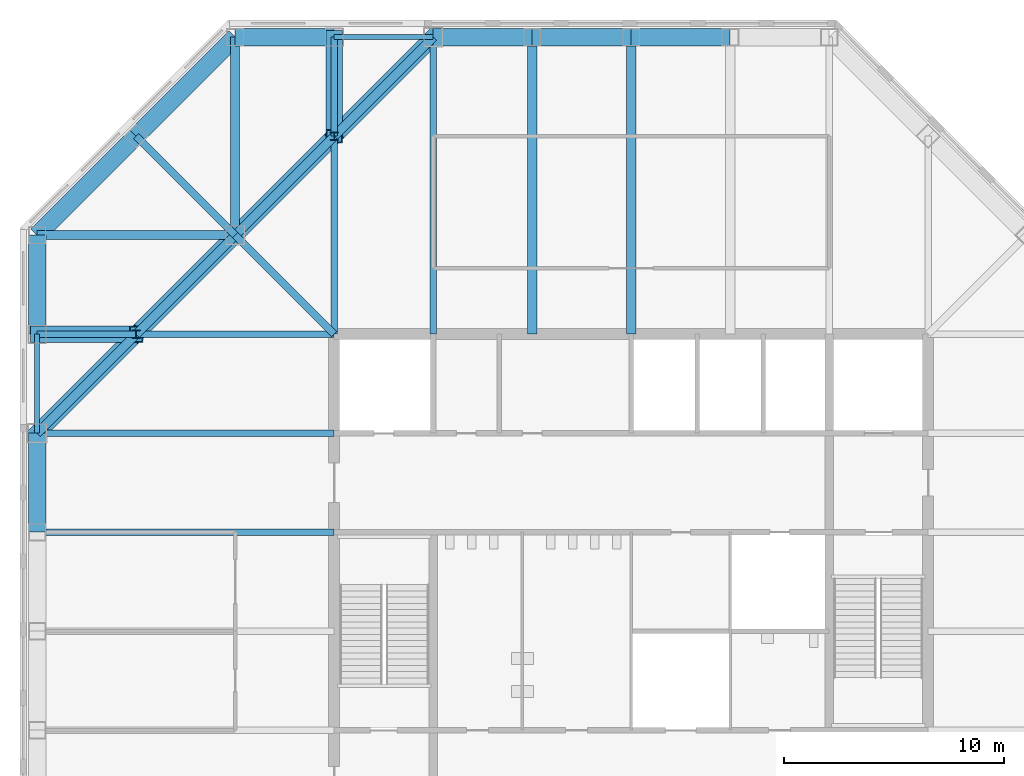
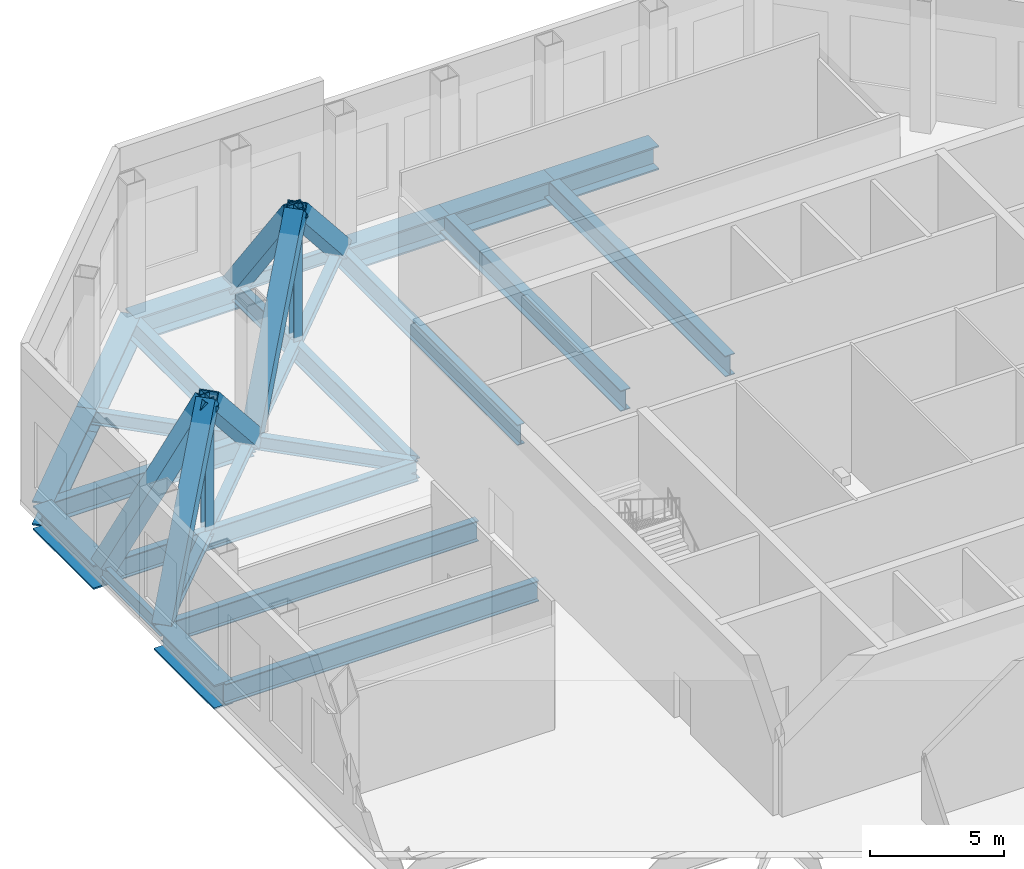
# One storey, part 3 of 10: 27 beams, 8 members.
"""IFC4 building model written with IfcOpenShell, lengths in metres."""

from ifc_helpers import new_model, si_unit, direction, frame, origin, origin_2d, place, context, subcontext, project, spatial, hollow_rectangle, i_section, extrude, material, material_profile, profile_set, type_object, element, save


model = new_model("IFC4")

# Units and contexts
model_context = context("Model", 3, precision=1e-05, world=origin(), true_north=direction((0.0, 1.0)))
body_context = subcontext(model_context, "Body", "Model", "MODEL_VIEW")
ifc_project = project(units=[si_unit("LENGTHUNIT", "METRE"), si_unit("AREAUNIT", "SQUARE_METRE"), si_unit("VOLUMEUNIT", "CUBIC_METRE"), si_unit("PLANEANGLEUNIT", "RADIAN"), si_unit("MASSUNIT", "GRAM", prefix="KILO")], contexts=[model_context])

# Site, building, storey
site_placement = place(None, origin())
site = spatial("IfcSite", under=ifc_project, at=site_placement, CompositionType="ELEMENT")
building_placement = place(site_placement, origin())
building = spatial("IfcBuilding", under=site, at=building_placement, Name="Corais Broadcast Tower", CompositionType="ELEMENT")
storey_placement = place(building_placement, frame((0.0, 0.0, 199.60009765625)))
storey = spatial("IfcBuildingStorey", under=building, at=storey_placement, Name="L46", CompositionType="ELEMENT", Elevation=199.60009765625)

# Beams
ifc_material_1 = material(Name="Steel ASTM A572 Grade 50", Category="steel")
ifc_material_profile_1 = material_profile(ifc_material_1, i_section(OverallWidth=0.323974609375, OverallDepth=0.611083984375, WebThickness=0.0126953125, FlangeThickness=0.01904296875, at=origin_2d()), Name="W610x155")
ifc_profile_set_1 = profile_set([ifc_material_profile_1], Name="Steel ASTM A572 Grade 50")
beam_type_1 = type_object("IfcBeamType", Name="Chamfer tie W610x155", PredefinedType="BEAM", material=ifc_profile_set_1)
beam_1_placement = place(storey_placement, frame((4.5, 49.5, -0.505615234375), z_axis=(0.707106781187, -0.707106781187, 0.0), x_axis=(0.707106781187, 0.707106781187, 0.0)))
element("IfcBeam", 1, at=beam_1_placement, inside=storey, type_object=beam_type_1, Name="B5 M/4 to L/5", PredefinedType="BEAM", context=body_context, shape_type="SweptSolid", body=[
    extrude(i_section(OverallWidth=0.323974609375, OverallDepth=0.611083984375, WebThickness=0.0126953125, FlangeThickness=0.01904296875, at=origin_2d()), origin(), (0.0, 0.0, 1.0), 6.364013671875),
])
ifc_material_2 = material(Name="Steel ASTM A572 Grade 50", Category="steel")
ifc_material_profile_2 = material_profile(ifc_material_2, i_section(OverallWidth=0.323974609375, OverallDepth=0.611083984375, WebThickness=0.0126953125, FlangeThickness=0.01904296875, at=origin_2d()), Name="W610x155")
ifc_profile_set_2 = profile_set([ifc_material_profile_2], Name="Steel ASTM A572 Grade 50")
beam_type_2 = type_object("IfcBeamType", Name="Corner diagonal W610x155", PredefinedType="BEAM", material=ifc_profile_set_2)
beam_2_placement = place(storey_placement, frame((9.0, 45.0, -0.505615234375), z_axis=(0.707106781187, -0.707106781187, 0.0), x_axis=(0.707106781187, 0.707106781187, 0.0)))
element("IfcBeam", 2, at=beam_2_placement, inside=storey, type_object=beam_type_2, Name="B6 L/5 to K/6", PredefinedType="BEAM", context=body_context, shape_type="SweptSolid", body=[
    extrude(i_section(OverallWidth=0.323974609375, OverallDepth=0.611083984375, WebThickness=0.0126953125, FlangeThickness=0.01904296875, at=origin_2d()), origin(), (0.0, 0.0, 1.0), 6.364013671875),
])
ifc_material_3 = material(Name="Steel ASTM A572 Grade 50", Category="steel")
ifc_material_profile_3 = material_profile(ifc_material_3, i_section(OverallWidth=0.22900390625, OverallDepth=0.612060546875, WebThickness=0.011962890625, FlangeThickness=0.01953125, at=origin_2d()), Name="W610x125")
ifc_profile_set_3 = profile_set([ifc_material_profile_3], Name="Steel ASTM A572 Grade 50")
beam_type_3 = type_object("IfcBeamType", Name="Pinned spandrel W610x125", PredefinedType="BEAM", material=ifc_profile_set_3)
for number, where, z_axis, x_axis, name in (
    (3, (0.0, 40.5, -0.506103515625), (0.0, -1.0, 0.0), (1.0, 0.0, 0.0), "SB7 K/3 to J/3"),
    (4, (18.0, 54.0, -0.506103515625), (-1.0, 0.0, 0.0), (0.0, -1.0, 0.0), "SB7 N/7 to N/6"),
):
    element("IfcBeam", number, at=place(storey_placement, frame(where, z_axis=z_axis, x_axis=x_axis)), inside=storey, type_object=beam_type_3, Name=name, PredefinedType="BEAM", context=body_context, shape_type="SweptSolid", body=[
        extrude(i_section(OverallWidth=0.22900390625, OverallDepth=0.612060546875, WebThickness=0.011962890625, FlangeThickness=0.01953125, at=origin_2d()), origin(), (0.0, 0.0, 1.0), 4.5),
    ])
ifc_material_4 = material(Name="Steel ASTM A572 Grade 50", Category="steel")
ifc_material_profile_4 = material_profile(ifc_material_4, i_section(OverallWidth=0.30908203125, OverallDepth=0.931884765625, WebThickness=0.02099609375, FlangeThickness=0.034423828125, at=origin_2d()), Name="W920x313")
ifc_profile_set_4 = profile_set([ifc_material_profile_4], Name="Steel ASTM A572 Grade 50")
beam_type_4 = type_object("IfcBeamType", Name="Plant floor beam W920x313", PredefinedType="BEAM", material=ifc_profile_set_4)
for number, where, z_axis, x_axis, name in (
    (5, (0.0, 31.5, -0.666015625), (1.0, 0.0, 0.0), (0.0, 1.0, 0.0), "B17 H/3 to H/6"),
    (6, (0.0, 36.0, -0.666015625), (1.0, 0.0, 0.0), (0.0, 1.0, 0.0), "B17 J/3 to J/6"),
):
    element("IfcBeam", number, at=place(storey_placement, frame(where, z_axis=z_axis, x_axis=x_axis)), inside=storey, type_object=beam_type_4, Name=name, PredefinedType="BEAM", context=body_context, shape_type="SweptSolid", body=[
        extrude(i_section(OverallWidth=0.30908203125, OverallDepth=0.931884765625, WebThickness=0.02099609375, FlangeThickness=0.034423828125, at=origin_2d()), origin(), (0.0, 0.0, 1.0), 13.5),
    ])
beam_3_placement = place(storey_placement, frame((0.0, 40.5, -0.666015625), z_axis=(1.0, 0.0, 0.0), x_axis=(0.0, 1.0, 0.0)))
element("IfcBeam", 7, at=beam_3_placement, inside=storey, type_object=beam_type_4, Name="B17 K/3 to K/4", PredefinedType="BEAM", context=body_context, shape_type="SweptSolid", body=[
    extrude(i_section(OverallWidth=0.30908203125, OverallDepth=0.931884765625, WebThickness=0.02099609375, FlangeThickness=0.034423828125, at=origin_2d()), origin(), (0.0, 0.0, 1.0), 4.5),
])
beam_4_placement = place(storey_placement, frame((13.5, 49.5, -0.666015625), z_axis=(0.0, -1.0, 0.0), x_axis=(1.0, 0.0, 0.0)))
element("IfcBeam", 8, at=beam_4_placement, inside=storey, type_object=beam_type_4, Name="B17 M/6 to K/6", PredefinedType="BEAM", context=body_context, shape_type="SweptSolid", body=[
    extrude(i_section(OverallWidth=0.30908203125, OverallDepth=0.931884765625, WebThickness=0.02099609375, FlangeThickness=0.034423828125, at=origin_2d()), origin(), (0.0, 0.0, 1.0), 9.0),
])
beam_5_placement = place(storey_placement, frame((13.5, 54.0, -0.666015625), z_axis=(0.0, -1.0, 0.0), x_axis=(1.0, 0.0, 0.0)))
element("IfcBeam", 9, at=beam_5_placement, inside=storey, type_object=beam_type_4, Name="B17 N/6 to M/6", PredefinedType="BEAM", context=body_context, shape_type="SweptSolid", body=[
    extrude(i_section(OverallWidth=0.30908203125, OverallDepth=0.931884765625, WebThickness=0.02099609375, FlangeThickness=0.034423828125, at=origin_2d()), origin(), (0.0, 0.0, 1.0), 4.5),
])
beam_6_placement = place(storey_placement, frame((18.0, 54.0, -0.666015625), z_axis=(0.0, -1.0, 0.0), x_axis=(1.0, 0.0, 0.0)))
element("IfcBeam", 10, at=beam_6_placement, inside=storey, type_object=beam_type_4, Name="B17 N/7 to K/7", PredefinedType="BEAM", context=body_context, shape_type="SweptSolid", body=[
    extrude(i_section(OverallWidth=0.30908203125, OverallDepth=0.931884765625, WebThickness=0.02099609375, FlangeThickness=0.034423828125, at=origin_2d()), origin(), (0.0, 0.0, 1.0), 13.5),
])
beam_7_placement = place(storey_placement, frame((4.5, 40.5, -0.666015625), z_axis=(1.0, 0.0, 0.0), x_axis=(0.0, 1.0, 0.0)))
element("IfcBeam", 11, at=beam_7_placement, inside=storey, type_object=beam_type_4, Name="B17 K/4 to K/6", PredefinedType="BEAM", context=body_context, shape_type="SweptSolid", body=[
    extrude(i_section(OverallWidth=0.30908203125, OverallDepth=0.931884765625, WebThickness=0.02099609375, FlangeThickness=0.034423828125, at=origin_2d()), origin(), (0.0, 0.0, 1.0), 9.0),
])
ifc_material_5 = material(Name="Steel ASTM A572 Grade 50", Category="steel")
ifc_material_profile_5 = material_profile(ifc_material_5, i_section(OverallWidth=0.4189453125, OverallDepth=0.94189453125, WebThickness=0.022216796875, FlangeThickness=0.03662109375, at=origin_2d()), Name="W920x345")
ifc_profile_set_5 = profile_set([ifc_material_profile_5], Name="Steel ASTM A572 Grade 50")
beam_type_5 = type_object("IfcBeamType", Name="Tank room floor beam W920x345", PredefinedType="BEAM", material=ifc_profile_set_5)
for number, where, z_axis, x_axis, name in (
    (12, (22.5, 54.0, -0.671142578125), (0.0, -1.0, 0.0), (1.0, 0.0, 0.0), "B20 N/8 to K/8"),
    (13, (27.0, 54.0, -0.671142578125), (0.0, -1.0, 0.0), (1.0, 0.0, 0.0), "B20 N/9 to K/9"),
):
    element("IfcBeam", number, at=place(storey_placement, frame(where, z_axis=z_axis, x_axis=x_axis)), inside=storey, type_object=beam_type_5, Name=name, PredefinedType="BEAM", context=body_context, shape_type="SweptSolid", body=[
        extrude(i_section(OverallWidth=0.4189453125, OverallDepth=0.94189453125, WebThickness=0.022216796875, FlangeThickness=0.03662109375, at=origin_2d()), origin(), (0.0, 0.0, 1.0), 13.5),
    ])
ifc_material_6 = material(Name="Steel ASTM A572 Grade 50", Category="steel")
ifc_material_profile_6 = material_profile(ifc_material_6, i_section(OverallWidth=0.40087890625, OverallDepth=0.386962890625, WebThickness=0.02099609375, FlangeThickness=0.033203125, at=origin_2d()), Name="W360x262")
ifc_profile_set_6 = profile_set([ifc_material_profile_6], Name="Steel ASTM A572 Grade 50")
beam_type_6 = type_object("IfcBeamType", Name="Transfer chord W360x262", PredefinedType="BEAM", material=ifc_profile_set_6)
for number, where, z_axis, x_axis, name in (
    (14, (13.5, 49.5, -0.3935546875), (-0.707106781187, -0.707106781187, 0.0), (0.707106781187, -0.707106781187, 0.0), "TC1 M/6 to L/5"),
    (15, (18.0, 54.0, -0.3935546875), (-0.707106781187, -0.707106781187, 0.0), (0.707106781187, -0.707106781187, 0.0), "TC1 N/7 to M/6"),
    (16, (4.5, 40.5, -0.3935546875), (-0.707106781187, -0.707106781187, 0.0), (0.707106781187, -0.707106781187, 0.0), "TC1 K/4 to J/3"),
    (17, (9.0, 45.0, -0.3935546875), (-0.707106781187, -0.707106781187, 0.0), (0.707106781187, -0.707106781187, 0.0), "TC1 L/5 to K/4"),
):
    element("IfcBeam", number, at=place(storey_placement, frame(where, z_axis=z_axis, x_axis=x_axis)), inside=storey, type_object=beam_type_6, Name=name, PredefinedType="BEAM", context=body_context, shape_type="SweptSolid", body=[
        extrude(i_section(OverallWidth=0.40087890625, OverallDepth=0.386962890625, WebThickness=0.02099609375, FlangeThickness=0.033203125, at=origin_2d()), origin(), (0.0, 0.0, 1.0), 6.364013671875),
    ])
ifc_material_7 = material(Name="Steel ASTM A572 Grade 50", Category="steel")
ifc_material_profile_7 = material_profile(ifc_material_7, i_section(OverallWidth=0.408935546875, OverallDepth=0.927001953125, WebThickness=0.0166015625, FlangeThickness=0.030029296875, at=origin_2d()), Name="W920x289")
ifc_profile_set_7 = profile_set([ifc_material_profile_7], Name="Steel ASTM A572 Grade 50")
beam_type_7 = type_object("IfcBeamType", Name="Transfer corner girder W920x289", PredefinedType="BEAM", material=ifc_profile_set_7)
for number, where, z_axis, x_axis, name in (
    (18, (0.0, 45.0, -0.66357421875), (1.0, 0.0, 0.0), (0.0, 1.0, 0.0), "B14 L/3 to L/5"),
    (19, (9.0, 54.0, -0.66357421875), (0.0, -1.0, 0.0), (1.0, 0.0, 0.0), "B14 N/5 to L/5"),
):
    element("IfcBeam", number, at=place(storey_placement, frame(where, z_axis=z_axis, x_axis=x_axis)), inside=storey, type_object=beam_type_7, Name=name, PredefinedType="BEAM", context=body_context, shape_type="SweptSolid", body=[
        extrude(i_section(OverallWidth=0.408935546875, OverallDepth=0.927001953125, WebThickness=0.0166015625, FlangeThickness=0.030029296875, at=origin_2d()), origin(), (0.0, 0.0, 1.0), 9.0),
    ])
ifc_material_8 = material(Name="Steel ASTM A572 Grade 50", Category="steel")
ifc_material_profile_8 = material_profile(ifc_material_8, i_section(OverallWidth=0.800048828125, OverallDepth=1.10009765625, WebThickness=0.030029296875, FlangeThickness=0.070068359375, at=origin_2d()), Name="PG1100x1105")
ifc_profile_set_8 = profile_set([ifc_material_profile_8], Name="Steel ASTM A572 Grade 50")
beam_type_8 = type_object("IfcBeamType", Name="Transfer spandrel PG1100x1105", PredefinedType="BEAM", material=ifc_profile_set_8)
for number, where, z_axis, x_axis, name in (
    (20, (0.0, 36.0, -0.75), (0.0, -1.0, 0.0), (1.0, 0.0, 0.0), "SB8 J/3 to H/3"),
    (21, (0.0, 45.0, -0.75), (0.0, -1.0, 0.0), (1.0, 0.0, 0.0), "SB8 L/3 to K/3"),
    (22, (13.5, 54.0, -0.75), (-1.0, 0.0, 0.0), (0.0, -1.0, 0.0), "SB8 N/6 to N/5"),
    (23, (22.5, 54.0, -0.75), (-1.0, 0.0, 0.0), (0.0, -1.0, 0.0), "SB8 N/8 to N/7"),
    (24, (27.0, 54.0, -0.75), (-1.0, 0.0, 0.0), (0.0, -1.0, 0.0), "SB8 N/9 to N/8"),
    (25, (31.5, 54.0, -0.75), (-1.0, 0.0, 0.0), (0.0, -1.0, 0.0), "SB8 N/10 to N/9"),
):
    element("IfcBeam", number, at=place(storey_placement, frame(where, z_axis=z_axis, x_axis=x_axis)), inside=storey, type_object=beam_type_8, Name=name, PredefinedType="BEAM", context=body_context, shape_type="SweptSolid", body=[
        extrude(i_section(OverallWidth=0.800048828125, OverallDepth=1.10009765625, WebThickness=0.030029296875, FlangeThickness=0.070068359375, at=origin_2d()), origin(), (0.0, 0.0, 1.0), 4.5),
    ])
for number, where, z_axis, x_axis, name in (
    (26, (4.5, 49.5, -0.75), (-0.707106781187, -0.707106781187, 0.0), (0.707106781187, -0.707106781187, 0.0), "SB8 M/4 to L/3"),
    (27, (9.0, 54.0, -0.75), (-0.707106781187, -0.707106781187, 0.0), (0.707106781187, -0.707106781187, 0.0), "SB8 N/5 to M/4"),
):
    element("IfcBeam", number, at=place(storey_placement, frame(where, z_axis=z_axis, x_axis=x_axis)), inside=storey, type_object=beam_type_8, Name=name, PredefinedType="BEAM", context=body_context, shape_type="SweptSolid", body=[
        extrude(i_section(OverallWidth=0.800048828125, OverallDepth=1.10009765625, WebThickness=0.030029296875, FlangeThickness=0.070068359375, at=origin_2d()), origin(), (0.0, 0.0, 1.0), 6.364013671875),
    ])

# Members
ifc_material_9 = material(Name="Steel ASTM A572 Grade 50", Category="steel")
ifc_material_profile_9 = material_profile(ifc_material_9, hollow_rectangle(XDim=0.75, YDim=0.75, WallThickness=0.0400390625, at=origin_2d()), Name="BOX 750x750x40")
ifc_profile_set_9 = profile_set([ifc_material_profile_9], Name="Steel ASTM A572 Grade 50")
member_type_1 = type_object("IfcMemberType", Name="Transfer truss diagonal BOX 750x750x40", PredefinedType="BRACE", material=ifc_profile_set_9)
for number, where, z_axis, x_axis, name in (
    (28, (18.0, 54.0, -0.3935546875), (-0.51368847143, -0.51368847143, 0.687203251331), (0.707106781187, -0.707106781187, 0.0), "TD1 transfer truss diagonal NW"),
    (29, (9.0, 45.0, -0.3935546875), (0.51368847143, 0.51368847143, 0.687203251331), (-0.707106781187, 0.707106781187, 0.0), "TD1 transfer truss diagonal NW"),
    (30, (9.0, 45.0, -0.3935546875), (-0.51368847143, -0.51368847143, 0.687203251331), (0.707106781187, -0.707106781187, 0.0), "TD1 transfer truss diagonal NW"),
    (31, (0.0, 36.0, -0.3935546875), (0.51368847143, 0.51368847143, 0.687203251331), (-0.707106781187, 0.707106781187, 0.0), "TD1 transfer truss diagonal NW"),
):
    element("IfcMember", number, at=place(storey_placement, frame(where, z_axis=z_axis, x_axis=x_axis)), inside=storey, type_object=member_type_1, Name=name, PredefinedType="BRACE", context=body_context, shape_type="SweptSolid", body=[
        extrude(hollow_rectangle(XDim=0.75, YDim=0.75, WallThickness=0.0400390625, at=origin_2d()), origin(), (0.0, 0.0, 1.0), 8.76025390625),
    ])
for number, where, z_axis, x_axis, name in (
    (32, (13.5, 54.0, -0.3935546875), (0.0, -0.598720715582, 0.800957867015), (1.0, 0.0, 0.0), "TD1 transfer truss diagonal NW"),
    (33, (0.0, 40.5, -0.3935546875), (0.598720715582, 0.0, 0.800957867015), (0.0, 1.0, 0.0), "TD1 transfer truss diagonal NW"),
):
    element("IfcMember", number, at=place(storey_placement, frame(where, z_axis=z_axis, x_axis=x_axis)), inside=storey, type_object=member_type_1, Name=name, PredefinedType="BRACE", context=body_context, shape_type="SweptSolid", body=[
        extrude(hollow_rectangle(XDim=0.75, YDim=0.75, WallThickness=0.0400390625, at=origin_2d()), origin(), (0.0, 0.0, 1.0), 7.51611328125),
    ])
ifc_material_10 = material(Name="Steel ASTM A572 Grade 50", Category="steel")
ifc_material_profile_10 = material_profile(ifc_material_10, i_section(OverallWidth=0.373046875, OverallDepth=0.367919921875, WebThickness=0.014892578125, FlangeThickness=0.02392578125, at=origin_2d()), Name="W360x179")
ifc_profile_set_10 = profile_set([ifc_material_profile_10], Name="Steel ASTM A572 Grade 50")
member_type_2 = type_object("IfcMemberType", Name="Transfer truss post W360x179", PredefinedType="POST", material=ifc_profile_set_10)
for number, where, z_axis, x_axis, name in (
    (34, (13.5, 49.5, -0.2001953125), (0.0, 0.0, 1.0), (1.0, 0.0, 0.0), "TP1 transfer truss post NW"),
    (35, (4.5, 40.5, -0.2001953125), (0.0, 0.0, 1.0), (1.0, 0.0, 0.0), "TP1 transfer truss post NW"),
):
    element("IfcMember", number, at=place(storey_placement, frame(where, z_axis=z_axis, x_axis=x_axis)), inside=storey, type_object=member_type_2, Name=name, PredefinedType="POST", context=body_context, shape_type="SweptSolid", body=[
        extrude(i_section(OverallWidth=0.373046875, OverallDepth=0.367919921875, WebThickness=0.014892578125, FlangeThickness=0.02392578125, at=origin_2d()), origin(), (0.0, 0.0, 1.0), 6.02001953125),
    ])

save(model, "model.ifc")
